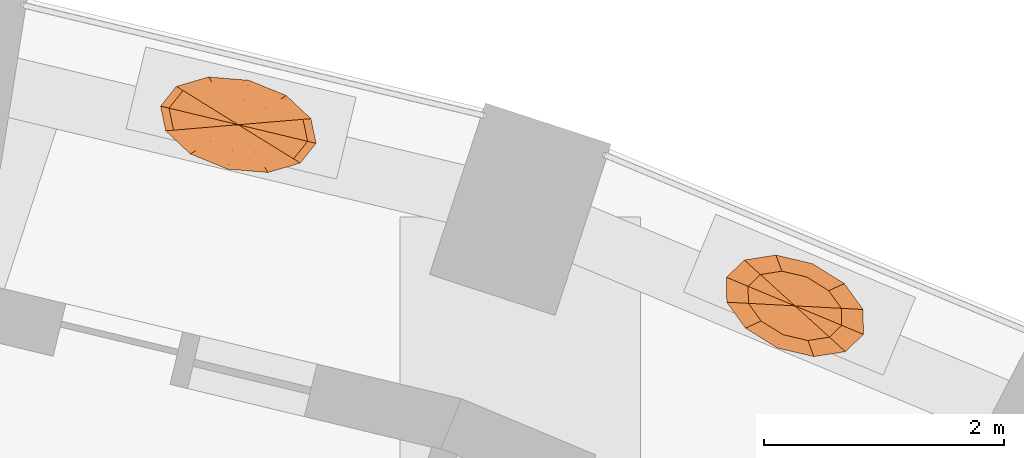
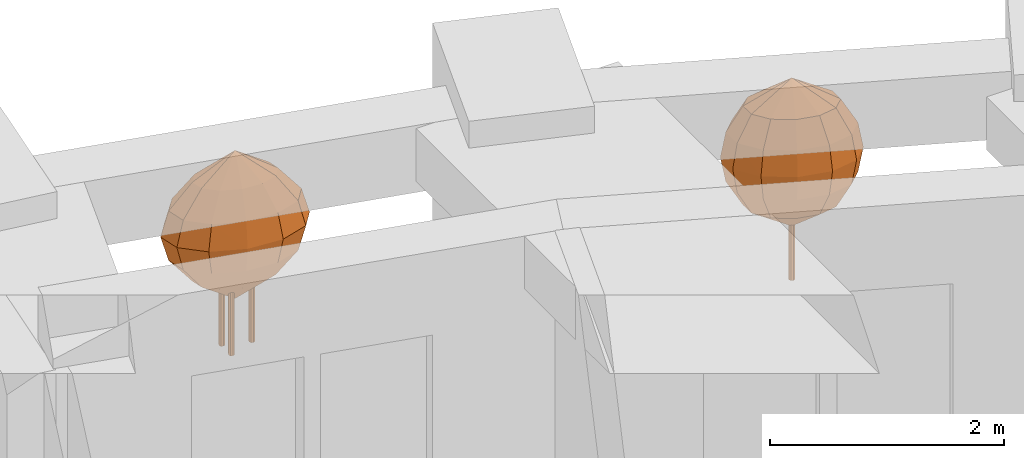
# One storey, part 13 of 13: 2 geographic elements.
"""IFC4 building model written with IfcOpenShell, lengths in metres."""

from ifc_helpers import new_model, si_unit, direction, frame, origin, place, context, subcontext, project, spatial, faceted_brep, material, constituent, constituent_set, type_object, element, save


model = new_model("IFC4")

# Units and contexts
model_context = context("Model", 3, precision=1e-05, world=origin(), true_north=direction((0.0, 1.0)))
body_context = subcontext(model_context, "Body", "Model", "MODEL_VIEW")
ifc_project = project(units=[si_unit("LENGTHUNIT", "METRE"), si_unit("AREAUNIT", "SQUARE_METRE"), si_unit("VOLUMEUNIT", "CUBIC_METRE"), si_unit("PLANEANGLEUNIT", "RADIAN"), si_unit("MASSUNIT", "GRAM", prefix="KILO")], contexts=[model_context])

# Site, building, storey
site_placement = place(None, origin())
site = spatial("IfcSite", under=ifc_project, at=site_placement, CompositionType="ELEMENT")
building_placement = place(site_placement, origin())
building = spatial("IfcBuilding", under=site, at=building_placement, Name="Taillehof Tower", CompositionType="ELEMENT")
storey_placement = place(building_placement, frame((0.0, 0.0, 61.300048828125)))
storey = spatial("IfcBuildingStorey", under=building, at=storey_placement, Name="L16", CompositionType="ELEMENT", Elevation=61.300048828125)

# Geographic elements
ifc_material_1 = material(Name="Tree bark", Category="timber")
ifc_constituent_1 = constituent(ifc_material_1, Name="Trunk", Category="timber")
ifc_material_2 = material(Name="Tree foliage")
ifc_constituent_2 = constituent(ifc_material_2, Name="Crown")
ifc_constituent_set_1 = constituent_set(constituents=[ifc_constituent_1, ifc_constituent_2], Name="Tree TR1 Columnar hornbeam")
geographic_element_type_1 = type_object("IfcGeographicElementType", Name="Tree TR1 Columnar hornbeam", PredefinedType="USERDEFINED", material=ifc_constituent_set_1)
geographic_element_1_placement = place(storey_placement, frame((11.947509765625, 22.923583984375, 0.75)))
element("IfcGeographicElement", 1, at=geographic_element_1_placement, inside=storey, type_object=geographic_element_type_1, Name="Tree TR1 Columnar hornbeam", ObjectType="TREE", PredefinedType="USERDEFINED", context=body_context, shape_type="Brep", body=[
    faceted_brep([(0.030029296875, 0.0, 0.0), (0.021240234375, 0.021240234375, 0.0), (0.021240234375, 0.021240234375, 1.092529296875), (0.030029296875, 0.0, 1.092529296875), (0.0, 0.030029296875, 0.0), (0.0, 0.030029296875, 1.092529296875), (-0.021240234375, 0.021240234375, 0.0), (-0.021240234375, 0.021240234375, 1.092529296875), (-0.030029296875, 0.0, 0.0), (-0.030029296875, 0.0, 1.092529296875), (-0.021240234375, -0.021240234375, 0.0), (-0.021240234375, -0.021240234375, 1.092529296875), (0.0, -0.030029296875, 0.0), (0.0, -0.030029296875, 1.092529296875), (0.021240234375, -0.021240234375, 0.0), (0.021240234375, -0.021240234375, 1.092529296875)], [[[0, 1, 2, 3]], [[1, 4, 5, 2]], [[4, 6, 7, 5]], [[6, 8, 9, 7]], [[8, 10, 11, 9]], [[10, 12, 13, 11]], [[12, 14, 15, 13]], [[14, 0, 3, 15]], [[14, 12, 10, 8, 6, 4, 1, 0]], [[3, 2, 5, 7, 9, 11, 13, 15]]]),
    faceted_brep([(0.0, 0.0, 0.550048828125), (-0.386962890625, 0.020751953125, 0.808349609375), (-0.389404296875, 0.162353515625, 0.808349609375), (-0.28125, -0.126220703125, 0.808349609375), (-0.099853515625, -0.239501953125, 0.808349609375), (0.108154296875, -0.28857421875, 0.808349609375), (0.287109375, -0.26025390625, 0.808349609375), (0.389404296875, -0.162353515625, 0.808349609375), (0.386962890625, -0.020751953125, 0.808349609375), (0.28125, 0.126220703125, 0.808349609375), (0.099853515625, 0.239501953125, 0.808349609375), (-0.108154296875, 0.28857421875, 0.808349609375), (-0.287109375, 0.26025390625, 0.808349609375), (-0.523681640625, 0.028076171875, 1.066650390625), (-0.526611328125, 0.219482421875, 1.066650390625), (-0.38037109375, -0.1708984375, 1.066650390625), (-0.135009765625, -0.323974609375, 1.066650390625), (0.146240234375, -0.390380859375, 1.066650390625), (0.388427734375, -0.35205078125, 1.066650390625), (0.526611328125, -0.219482421875, 1.066650390625), (0.523681640625, -0.028076171875, 1.066650390625), (0.38037109375, 0.1708984375, 1.066650390625), (0.135009765625, 0.323974609375, 1.066650390625), (-0.146240234375, 0.390380859375, 1.066650390625), (-0.388427734375, 0.35205078125, 1.066650390625), (-0.566650390625, 0.0302734375, 1.324951171875), (-0.570068359375, 0.237548828125, 1.324951171875), (-0.41162109375, -0.18505859375, 1.324951171875), (-0.146240234375, -0.350830078125, 1.324951171875), (0.158447265625, -0.422607421875, 1.324951171875), (0.42041015625, -0.381103515625, 1.324951171875), (0.570068359375, -0.237548828125, 1.324951171875), (0.566650390625, -0.0302734375, 1.324951171875), (0.41162109375, 0.18505859375, 1.324951171875), (0.146240234375, 0.350830078125, 1.324951171875), (-0.158447265625, 0.422607421875, 1.324951171875), (-0.42041015625, 0.381103515625, 1.324951171875), (-0.523681640625, 0.028076171875, 1.583251953125), (-0.526611328125, 0.219482421875, 1.583251953125), (-0.38037109375, -0.1708984375, 1.583251953125), (-0.135009765625, -0.323974609375, 1.583251953125), (0.146240234375, -0.390380859375, 1.583251953125), (0.388427734375, -0.35205078125, 1.583251953125), (0.526611328125, -0.219482421875, 1.583251953125), (0.523681640625, -0.028076171875, 1.583251953125), (0.38037109375, 0.1708984375, 1.583251953125), (0.135009765625, 0.323974609375, 1.583251953125), (-0.146240234375, 0.390380859375, 1.583251953125), (-0.388427734375, 0.35205078125, 1.583251953125), (-0.386962890625, 0.020751953125, 1.841552734375), (-0.389404296875, 0.162353515625, 1.841552734375), (-0.28125, -0.126220703125, 1.841552734375), (-0.099853515625, -0.239501953125, 1.841552734375), (0.108154296875, -0.28857421875, 1.841552734375), (0.287109375, -0.26025390625, 1.841552734375), (0.389404296875, -0.162353515625, 1.841552734375), (0.386962890625, -0.020751953125, 1.841552734375), (0.28125, 0.126220703125, 1.841552734375), (0.099853515625, 0.239501953125, 1.841552734375), (-0.108154296875, 0.28857421875, 1.841552734375), (-0.287109375, 0.26025390625, 1.841552734375), (0.0, 0.0, 2.10009765625)], [[[0, 1, 2]], [[0, 3, 1]], [[0, 4, 3]], [[0, 5, 4]], [[0, 6, 5]], [[0, 7, 6]], [[0, 8, 7]], [[0, 9, 8]], [[0, 10, 9]], [[0, 11, 10]], [[0, 12, 11]], [[0, 2, 12]], [[2, 1, 13, 14]], [[1, 3, 15, 13]], [[3, 4, 16, 15]], [[4, 5, 17, 16]], [[5, 6, 18, 17]], [[6, 7, 19, 18]], [[7, 8, 20, 19]], [[8, 9, 21, 20]], [[9, 10, 22, 21]], [[10, 11, 23, 22]], [[11, 12, 24, 23]], [[12, 2, 14, 24]], [[14, 13, 25, 26]], [[13, 15, 27, 25]], [[15, 16, 28, 27]], [[16, 17, 29, 28]], [[17, 18, 30, 29]], [[18, 19, 31, 30]], [[19, 20, 32, 31]], [[20, 21, 33, 32]], [[21, 22, 34, 33]], [[22, 23, 35, 34]], [[23, 24, 36, 35]], [[24, 14, 26, 36]], [[26, 25, 37, 38]], [[25, 27, 39, 37]], [[27, 28, 40, 39]], [[28, 29, 41, 40]], [[29, 30, 42, 41]], [[30, 31, 43, 42]], [[31, 32, 44, 43]], [[32, 33, 45, 44]], [[33, 34, 46, 45]], [[34, 35, 47, 46]], [[35, 36, 48, 47]], [[36, 26, 38, 48]], [[38, 37, 49, 50]], [[37, 39, 51, 49]], [[39, 40, 52, 51]], [[40, 41, 53, 52]], [[41, 42, 54, 53]], [[42, 43, 55, 54]], [[43, 44, 56, 55]], [[44, 45, 57, 56]], [[45, 46, 58, 57]], [[46, 47, 59, 58]], [[47, 48, 60, 59]], [[48, 38, 50, 60]], [[50, 49, 61]], [[49, 51, 61]], [[51, 52, 61]], [[52, 53, 61]], [[53, 54, 61]], [[54, 55, 61]], [[55, 56, 61]], [[56, 57, 61]], [[57, 58, 61]], [[58, 59, 61]], [[59, 60, 61]], [[60, 50, 61]]]),
])
ifc_material_3 = material(Name="Tree bark", Category="timber")
ifc_constituent_3 = constituent(ifc_material_3, Name="Trunk", Category="timber")
ifc_material_4 = material(Name="Tree foliage")
ifc_constituent_4 = constituent(ifc_material_4, Name="Crown")
ifc_constituent_set_2 = constituent_set(constituents=[ifc_constituent_3, ifc_constituent_4], Name="Tree TR3 Multi-stem serviceberry")
geographic_element_type_2 = type_object("IfcGeographicElementType", Name="Tree TR3 Multi-stem serviceberry", PredefinedType="USERDEFINED", material=ifc_constituent_set_2)
geographic_element_2_placement = place(storey_placement, frame((7.31640625, 24.430419921875, 0.75)))
element("IfcGeographicElement", 2, at=geographic_element_2_placement, inside=storey, type_object=geographic_element_type_2, Name="Tree TR3 Multi-stem serviceberry", ObjectType="TREE", PredefinedType="USERDEFINED", context=body_context, shape_type="Brep", body=[
    faceted_brep([(0.195068359375, 0.0, 0.0), (0.186767578125, 0.0205078125, 0.0), (0.186767578125, 0.0205078125, 1.04248046875), (0.195068359375, 0.0, 1.04248046875), (0.166259765625, 0.02880859375, 0.0), (0.166259765625, 0.02880859375, 1.04248046875), (0.145751953125, 0.0205078125, 0.0), (0.145751953125, 0.0205078125, 1.04248046875), (0.137451171875, 0.0, 0.0), (0.137451171875, 0.0, 1.04248046875), (0.145751953125, -0.0205078125, 0.0), (0.145751953125, -0.0205078125, 1.04248046875), (0.166259765625, -0.02880859375, 0.0), (0.166259765625, -0.02880859375, 1.04248046875), (0.186767578125, -0.0205078125, 0.0), (0.186767578125, -0.0205078125, 1.04248046875)], [[[0, 1, 2, 3]], [[1, 4, 5, 2]], [[4, 6, 7, 5]], [[6, 8, 9, 7]], [[8, 10, 11, 9]], [[10, 12, 13, 11]], [[12, 14, 15, 13]], [[14, 0, 3, 15]], [[14, 12, 10, 8, 6, 4, 1, 0]], [[3, 2, 5, 7, 9, 11, 13, 15]]]),
    faceted_brep([(-0.05419921875, 0.082275390625, 0.0), (-0.062744140625, 0.102783203125, 0.0), (-0.062744140625, 0.102783203125, 1.04248046875), (-0.05419921875, 0.082275390625, 1.04248046875), (-0.0830078125, 0.111083984375, 0.0), (-0.0830078125, 0.111083984375, 1.04248046875), (-0.103515625, 0.102783203125, 0.0), (-0.103515625, 0.102783203125, 1.04248046875), (-0.112060546875, 0.082275390625, 0.0), (-0.112060546875, 0.082275390625, 1.04248046875), (-0.103515625, 0.061767578125, 0.0), (-0.103515625, 0.061767578125, 1.04248046875), (-0.0830078125, 0.053466796875, 0.0), (-0.0830078125, 0.053466796875, 1.04248046875), (-0.062744140625, 0.061767578125, 0.0), (-0.062744140625, 0.061767578125, 1.04248046875)], [[[0, 1, 2, 3]], [[1, 4, 5, 2]], [[4, 6, 7, 5]], [[6, 8, 9, 7]], [[8, 10, 11, 9]], [[10, 12, 13, 11]], [[12, 14, 15, 13]], [[14, 0, 3, 15]], [[14, 12, 10, 8, 6, 4, 1, 0]], [[3, 2, 5, 7, 9, 11, 13, 15]]]),
    faceted_brep([(-0.05419921875, -0.082275390625, 0.0), (-0.062744140625, -0.061767578125, 0.0), (-0.062744140625, -0.061767578125, 1.04248046875), (-0.05419921875, -0.082275390625, 1.04248046875), (-0.0830078125, -0.053466796875, 0.0), (-0.0830078125, -0.053466796875, 1.04248046875), (-0.103515625, -0.061767578125, 0.0), (-0.103515625, -0.061767578125, 1.04248046875), (-0.112060546875, -0.082275390625, 0.0), (-0.112060546875, -0.082275390625, 1.04248046875), (-0.103515625, -0.102783203125, 0.0), (-0.103515625, -0.102783203125, 1.04248046875), (-0.0830078125, -0.111083984375, 0.0), (-0.0830078125, -0.111083984375, 1.04248046875), (-0.062744140625, -0.102783203125, 0.0), (-0.062744140625, -0.102783203125, 1.04248046875)], [[[0, 1, 2, 3]], [[1, 4, 5, 2]], [[4, 6, 7, 5]], [[6, 8, 9, 7]], [[8, 10, 11, 9]], [[10, 12, 13, 11]], [[12, 14, 15, 13]], [[14, 0, 3, 15]], [[14, 12, 10, 8, 6, 4, 1, 0]], [[3, 2, 5, 7, 9, 11, 13, 15]]]),
    faceted_brep([(0.0, 0.0, 0.5), (-0.34716796875, -0.029052734375, 0.75830078125), (-0.371337890625, 0.0888671875, 0.75830078125), (-0.229736328125, -0.139404296875, 0.75830078125), (-0.05078125, -0.212158203125, 0.75830078125), (0.1416015625, -0.228271484375, 0.75830078125), (0.296142578125, -0.18310546875, 0.75830078125), (0.371337890625, -0.0888671875, 0.75830078125), (0.34716796875, 0.029052734375, 0.75830078125), (0.229736328125, 0.139404296875, 0.75830078125), (0.05078125, 0.212158203125, 0.75830078125), (-0.1416015625, 0.228271484375, 0.75830078125), (-0.296142578125, 0.18310546875, 0.75830078125), (-0.53857421875, -0.045166015625, 1.0166015625), (-0.576416015625, 0.13818359375, 1.0166015625), (-0.3564453125, -0.21630859375, 1.0166015625), (-0.078857421875, -0.329345703125, 1.0166015625), (0.219970703125, -0.354248046875, 1.0166015625), (0.459716796875, -0.2841796875, 1.0166015625), (0.576416015625, -0.13818359375, 1.0166015625), (0.53857421875, 0.045166015625, 1.0166015625), (0.3564453125, 0.21630859375, 1.0166015625), (0.078857421875, 0.329345703125, 1.0166015625), (-0.219970703125, 0.354248046875, 1.0166015625), (-0.459716796875, 0.2841796875, 1.0166015625), (-0.604248046875, -0.050537109375, 1.27490234375), (-0.646728515625, 0.15478515625, 1.27490234375), (-0.39990234375, -0.24267578125, 1.27490234375), (-0.088623046875, -0.36962890625, 1.27490234375), (0.24658203125, -0.3974609375, 1.27490234375), (0.515869140625, -0.31884765625, 1.27490234375), (0.646728515625, -0.15478515625, 1.27490234375), (0.604248046875, 0.050537109375, 1.27490234375), (0.39990234375, 0.24267578125, 1.27490234375), (0.088623046875, 0.36962890625, 1.27490234375), (-0.24658203125, 0.3974609375, 1.27490234375), (-0.515869140625, 0.31884765625, 1.27490234375), (-0.53857421875, -0.045166015625, 1.533447265625), (-0.576416015625, 0.13818359375, 1.533447265625), (-0.3564453125, -0.21630859375, 1.533447265625), (-0.078857421875, -0.329345703125, 1.533447265625), (0.219970703125, -0.354248046875, 1.533447265625), (0.459716796875, -0.2841796875, 1.533447265625), (0.576416015625, -0.13818359375, 1.533447265625), (0.53857421875, 0.045166015625, 1.533447265625), (0.3564453125, 0.21630859375, 1.533447265625), (0.078857421875, 0.329345703125, 1.533447265625), (-0.219970703125, 0.354248046875, 1.533447265625), (-0.459716796875, 0.2841796875, 1.533447265625), (-0.34716796875, -0.029052734375, 1.791748046875), (-0.371337890625, 0.0888671875, 1.791748046875), (-0.229736328125, -0.139404296875, 1.791748046875), (-0.05078125, -0.212158203125, 1.791748046875), (0.1416015625, -0.228271484375, 1.791748046875), (0.296142578125, -0.18310546875, 1.791748046875), (0.371337890625, -0.0888671875, 1.791748046875), (0.34716796875, 0.029052734375, 1.791748046875), (0.229736328125, 0.139404296875, 1.791748046875), (0.05078125, 0.212158203125, 1.791748046875), (-0.1416015625, 0.228271484375, 1.791748046875), (-0.296142578125, 0.18310546875, 1.791748046875), (0.0, 0.0, 2.050048828125)], [[[0, 1, 2]], [[0, 3, 1]], [[0, 4, 3]], [[0, 5, 4]], [[0, 6, 5]], [[0, 7, 6]], [[0, 8, 7]], [[0, 9, 8]], [[0, 10, 9]], [[0, 11, 10]], [[0, 12, 11]], [[0, 2, 12]], [[2, 1, 13, 14]], [[1, 3, 15, 13]], [[3, 4, 16, 15]], [[4, 5, 17, 16]], [[5, 6, 18, 17]], [[6, 7, 19, 18]], [[7, 8, 20, 19]], [[8, 9, 21, 20]], [[9, 10, 22, 21]], [[10, 11, 23, 22]], [[11, 12, 24, 23]], [[12, 2, 14, 24]], [[14, 13, 25, 26]], [[13, 15, 27, 25]], [[15, 16, 28, 27]], [[16, 17, 29, 28]], [[17, 18, 30, 29]], [[18, 19, 31, 30]], [[19, 20, 32, 31]], [[20, 21, 33, 32]], [[21, 22, 34, 33]], [[22, 23, 35, 34]], [[23, 24, 36, 35]], [[24, 14, 26, 36]], [[26, 25, 37, 38]], [[25, 27, 39, 37]], [[27, 28, 40, 39]], [[28, 29, 41, 40]], [[29, 30, 42, 41]], [[30, 31, 43, 42]], [[31, 32, 44, 43]], [[32, 33, 45, 44]], [[33, 34, 46, 45]], [[34, 35, 47, 46]], [[35, 36, 48, 47]], [[36, 26, 38, 48]], [[38, 37, 49, 50]], [[37, 39, 51, 49]], [[39, 40, 52, 51]], [[40, 41, 53, 52]], [[41, 42, 54, 53]], [[42, 43, 55, 54]], [[43, 44, 56, 55]], [[44, 45, 57, 56]], [[45, 46, 58, 57]], [[46, 47, 59, 58]], [[47, 48, 60, 59]], [[48, 38, 50, 60]], [[50, 49, 61]], [[49, 51, 61]], [[51, 52, 61]], [[52, 53, 61]], [[53, 54, 61]], [[54, 55, 61]], [[55, 56, 61]], [[56, 57, 61]], [[57, 58, 61]], [[58, 59, 61]], [[59, 60, 61]], [[60, 50, 61]]]),
])

save(model, "model.ifc")
